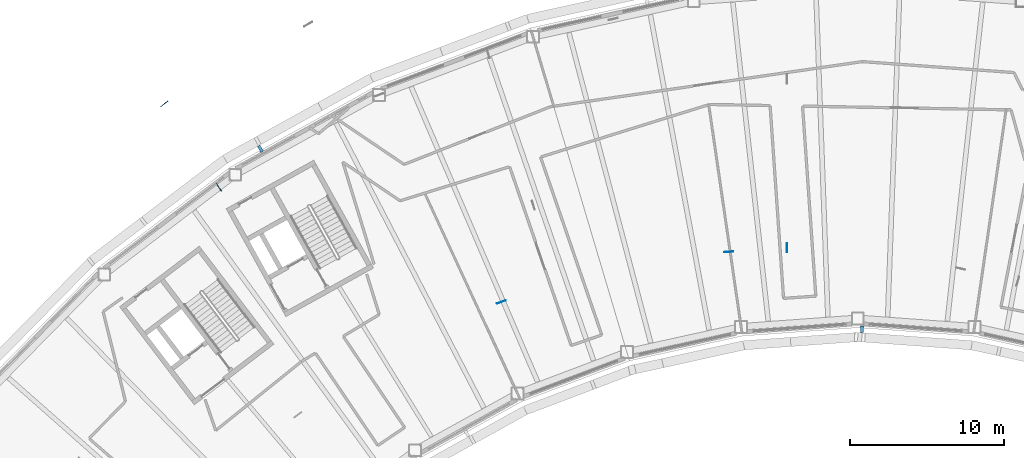
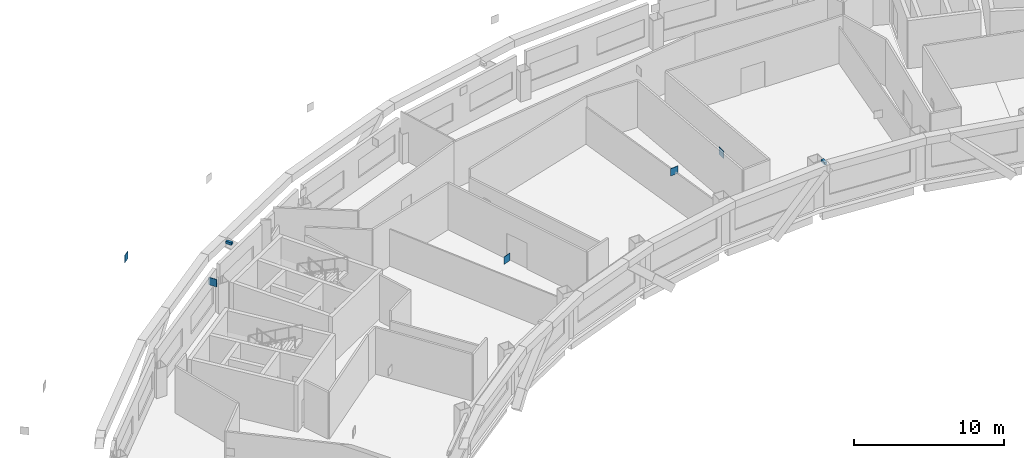
# One storey, part 13 of 21: 7 discrete accessories.
"""IFC4 building model written with IfcOpenShell, lengths in metres."""

from ifc_helpers import new_model, si_unit, direction, frame, origin, origin_2d, place, context, subcontext, project, spatial, rectangle, extrude, material, type_object, element, save


model = new_model("IFC4")

# Units and contexts
model_context = context("Model", 3, precision=1e-05, world=origin(), true_north=direction((0.0, 1.0)))
body_context = subcontext(model_context, "Body", "Model", "MODEL_VIEW")
ifc_project = project(units=[si_unit("LENGTHUNIT", "METRE"), si_unit("AREAUNIT", "SQUARE_METRE"), si_unit("VOLUMEUNIT", "CUBIC_METRE"), si_unit("PLANEANGLEUNIT", "RADIAN"), si_unit("MASSUNIT", "GRAM", prefix="KILO")], contexts=[model_context])

# Site, building, storey
site_placement = place(None, origin())
site = spatial("IfcSite", under=ifc_project, at=site_placement, CompositionType="ELEMENT")
building_placement = place(site_placement, origin())
building = spatial("IfcBuilding", under=site, at=building_placement, Name="Tuul Gate Civic Tower", CompositionType="ELEMENT")
storey_placement = place(building_placement, frame((0.0, 0.0, 311.0)))
storey = spatial("IfcBuildingStorey", under=building, at=storey_placement, Name="Level 70", CompositionType="ELEMENT", Elevation=311.0)

# Discrete accessories
ifc_material_1 = material(Name="Steel S355", Category="steel")
discrete_accessory_type_1 = type_object("IfcDiscreteAccessoryType", Name="Gusset plate", PredefinedType="BRACKET", material=ifc_material_1)
for number, where, z_axis, x_axis, name in (
    (1, (2.1904296875, -7.52978515625, 2.79638671875), (0.0, 0.0, 1.0), (0.0, 1.0, 0.0), "Gusset plate"),
    (2, (-34.679443359375, -3.60205078125, 2.797119140625), (0.0, 0.0, 1.0), (-0.546710516181, 0.837321689375, 0.0), "Gusset plate"),
    (3, (-38.210205078125, 1.80517578125, 2.796630859375), (0.0, 0.0, 1.0), (-0.795663839612, -0.605738437227, 0.0), "Gusset plate"),
    (4, (-16.344482421875, -11.052978515625, 2.796142578125), (0.0, 0.0, 1.0), (-0.935323959352, -0.353792440652, 0.0), "Gusset plate"),
    (5, (-1.593994140625, -7.802490234375, 2.796142578125), (0.0, 0.0, 1.0), (-0.997381904937, -0.07231414595, 0.0), "Gusset plate"),
):
    element("IfcDiscreteAccessory", number, at=place(storey_placement, frame(where, z_axis=z_axis, x_axis=x_axis)), inside=storey, type_object=discrete_accessory_type_1, Name=name, PredefinedType="BRACKET", context=body_context, shape_type="SweptSolid", body=[
        extrude(rectangle(XDim=0.60009765625, YDim=0.030029296875, at=origin_2d()), origin(), (0.0, 0.0, 1.0), 0.60009765625),
    ])
ifc_material_2 = material(Name="Stainless steel", Category="steel")
discrete_accessory_type_2 = type_object("IfcDiscreteAccessoryType", Name="Screen bracket", PredefinedType="BRACKET", material=ifc_material_2)
discrete_accessory_1_placement = place(storey_placement, frame((-31.978515625, -1.1123046875, 3.75), z_axis=(0.0, 0.0, 1.0), x_axis=(-0.520742945255, 0.853713526288, 0.0)))
element("IfcDiscreteAccessory", 6, at=discrete_accessory_1_placement, inside=storey, type_object=discrete_accessory_type_2, Name="Screen bracket 14", PredefinedType="BRACKET", context=body_context, shape_type="SweptSolid", body=[
    extrude(rectangle(XDim=0.450439453125, YDim=0.199951171875, at=origin_2d()), origin(), (0.0, 0.0, 1.0), 0.199951171875),
])
discrete_accessory_2_placement = place(storey_placement, frame((7.052734375, -12.81982421875, 3.75), z_axis=(0.0, 0.0, 1.0), x_axis=(-0.005106811194, -0.999986960155, 0.0)))
element("IfcDiscreteAccessory", 7, at=discrete_accessory_2_placement, inside=storey, type_object=discrete_accessory_type_2, Name="Screen bracket 26", PredefinedType="BRACKET", context=body_context, shape_type="SweptSolid", body=[
    extrude(rectangle(XDim=0.450927734375, YDim=0.199951171875, at=origin_2d()), origin(), (0.0, 0.0, 1.0), 0.199951171875),
])

save(model, "model.ifc")
